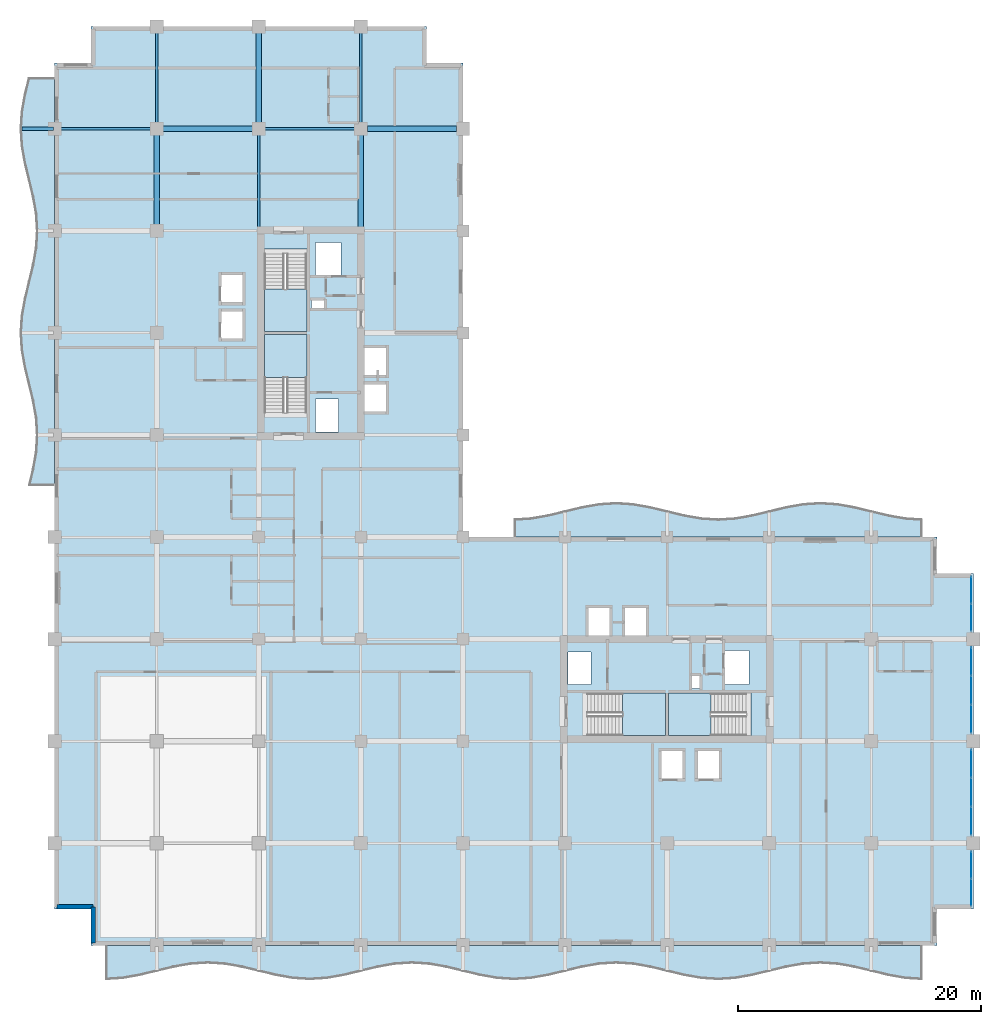
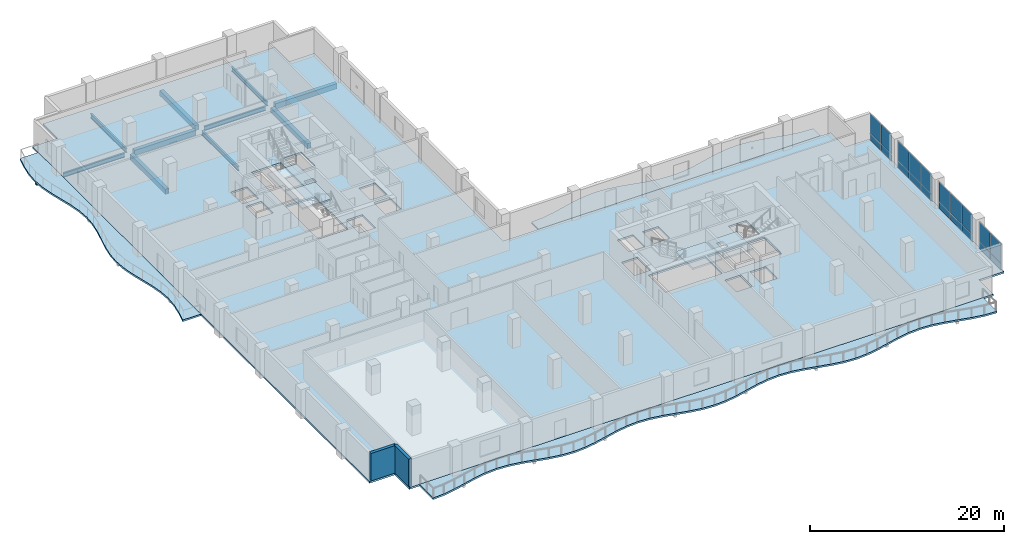
# One storey, part 8 of 20: 20 plates, 11 beams, 8 slabs, 2 walls, 8 elements without a shape of their own.
"""IFC4 building model written with IfcOpenShell, lengths in metres."""

from ifc_helpers import new_model, si_unit, direction, frame, frame_2d, origin, origin_2d, place, context, subcontext, project, spatial, polyline, rectangle, i_section, outline, extrude, material, layer, layer_set, material_profile, profile_set, type_object, element, aggregate, save


model = new_model("IFC4")

# Units and contexts
model_context = context("Model", 3, precision=1e-05, world=origin(), true_north=direction((0.0, 1.0)))
body_context = subcontext(model_context, "Body", "Model", "MODEL_VIEW")
ifc_project = project(units=[si_unit("LENGTHUNIT", "METRE"), si_unit("AREAUNIT", "SQUARE_METRE"), si_unit("VOLUMEUNIT", "CUBIC_METRE"), si_unit("PLANEANGLEUNIT", "RADIAN"), si_unit("MASSUNIT", "GRAM", prefix="KILO")], contexts=[model_context])

# Site, building, storey
site_placement = place(None, origin())
site = spatial("IfcSite", under=ifc_project, at=site_placement, CompositionType="ELEMENT")
building_placement = place(site_placement, origin())
building = spatial("IfcBuilding", under=site, at=building_placement, Name="Koriwani Terraces Tower", CompositionType="ELEMENT")
storey_placement = place(building_placement, frame((0.0, 0.0, 212.39990234375)))
storey = spatial("IfcBuildingStorey", under=building, at=storey_placement, Name="L52", CompositionType="ELEMENT", Elevation=212.39990234375)

# Beams
ifc_material_1 = material(Name="Concrete C40/50", Category="concrete")
ifc_material_profile_1 = material_profile(ifc_material_1, rectangle(XDim=0.300048828125, YDim=0.39990234375, at=origin_2d()), Name="Concrete C40/50", Category="LoadBearing")
ifc_profile_set_1 = profile_set([ifc_material_profile_1], Name="Concrete C40/50")
beam_type_1 = type_object("IfcBeamType", Name="BEAM_RC_BALCONY_RIB_300X400", PredefinedType="JOIST", material=ifc_profile_set_1)
beam_1_placement = place(storey_placement, frame((-2.699951171875, 67.199951171875, -0.429931640625), z_axis=(1.0, 0.0, 0.0), x_axis=(0.0, 1.0, 0.0)))
element("IfcBeam", 1, at=beam_1_placement, inside=storey, type_object=beam_type_1, Name="L52 Balcony Bracket Rib W-4", PredefinedType="JOIST", context=body_context, shape_type="SweptSolid", body=[
    extrude(rectangle(XDim=0.300048828125, YDim=0.39990234375, at=origin_2d()), origin(), (0.0, 0.0, 1.0), 2.599853515625),
])
ifc_material_2 = material(Name="Concrete C50/60", Category="concrete")
ifc_material_profile_2 = material_profile(ifc_material_2, rectangle(XDim=0.449951171875, YDim=0.64990234375, at=origin_2d()), Name="Concrete C50/60", Category="LoadBearing")
ifc_profile_set_2 = profile_set([ifc_material_profile_2], Name="Concrete C50/60")
beam_type_2 = type_object("IfcBeamType", Name="BEAM_RC_GRID_450X650", PredefinedType="BEAM", material=ifc_profile_set_2)
for number, where, z_axis, x_axis, name in (
    (2, (8.929931640625, 67.199951171875, -0.554931640625), (1.0, 0.0, 0.0), (0.0, 1.0, 0.0), "L52 Grid Beam I (8.4-16.8m)"),
    (3, (25.72998046875, 67.199951171875, -0.554931640625), (1.0, 0.0, 0.0), (0.0, 1.0, 0.0), "L52 Grid Beam I (25.2-33.6m)"),
):
    element("IfcBeam", number, at=place(storey_placement, frame(where, z_axis=z_axis, x_axis=x_axis)), inside=storey, type_object=beam_type_2, Name=name, PredefinedType="BEAM", context=body_context, shape_type="SweptSolid", body=[
        extrude(rectangle(XDim=0.449951171875, YDim=0.64990234375, at=origin_2d()), origin(), (0.0, 0.0, 1.0), 7.340087890625),
    ])
beam_2_placement = place(storey_placement, frame((8.39990234375, 59.330078125, -0.554931640625), z_axis=(0.0, 1.0, 0.0), x_axis=(-1.0, 0.0, 0.0)))
element("IfcBeam", 4, at=beam_2_placement, inside=storey, type_object=beam_type_2, Name="L52 Grid Beam 2 (58.8-67.2m)", PredefinedType="BEAM", context=body_context, shape_type="SweptSolid", body=[
    extrude(rectangle(XDim=0.449951171875, YDim=0.64990234375, at=origin_2d()), origin(), (0.0, 0.0, 1.0), 7.33984375),
])
beam_3_placement = place(storey_placement, frame((16.800048828125, 67.72998046875, -0.554931640625), z_axis=(0.0, 1.0, 0.0), x_axis=(-1.0, 0.0, 0.0)))
element("IfcBeam", 5, at=beam_3_placement, inside=storey, type_object=beam_type_2, Name="L52 Grid Beam 3 (67.2-75.6m)", PredefinedType="BEAM", context=body_context, shape_type="SweptSolid", body=[
    extrude(rectangle(XDim=0.449951171875, YDim=0.64990234375, at=origin_2d()), origin(), (0.0, 0.0, 1.0), 7.340087890625),
])
beam_4_placement = place(storey_placement, frame((25.199951171875, 59.1298828125, -0.554931640625), z_axis=(0.0, 1.0, 0.0), x_axis=(-1.0, 0.0, 0.0)))
element("IfcBeam", 6, at=beam_4_placement, inside=storey, type_object=beam_type_2, Name="L52 Grid Beam 4 (58.8-67.2m)", PredefinedType="BEAM", context=body_context, shape_type="SweptSolid", body=[
    extrude(rectangle(XDim=0.449951171875, YDim=0.64990234375, at=origin_2d()), origin(), (0.0, 0.0, 1.0), 7.5400390625),
])
ifc_material_3 = material(Name="Steel ASTM A572 Grade 50", Category="steel")
ifc_material_profile_3 = material_profile(ifc_material_3, i_section(OverallWidth=0.2119140625, OverallDepth=0.54296875, WebThickness=0.0126953125, FlangeThickness=0.021240234375, at=origin_2d()), Name="Steel ASTM A572 Grade 50", Category="LoadBearing")
ifc_profile_set_3 = profile_set([ifc_material_profile_3], Name="Steel ASTM A572 Grade 50")
beam_type_3 = type_object("IfcBeamType", Name="STEEL_BEAM_W530X150", PredefinedType="BEAM", material=ifc_profile_set_3)
beam_5_placement = place(storey_placement, frame((0.530029296875, 67.199951171875, -0.50146484375), z_axis=(1.0, 0.0, 0.0), x_axis=(0.0, 1.0, 0.0)))
element("IfcBeam", 7, at=beam_5_placement, inside=storey, type_object=beam_type_3, Name="L52 Grid Beam I (0.0-8.4m)", PredefinedType="BEAM", context=body_context, shape_type="SweptSolid", body=[
    extrude(i_section(OverallWidth=0.2119140625, OverallDepth=0.54296875, WebThickness=0.0126953125, FlangeThickness=0.021240234375, at=origin_2d()), origin(), (0.0, 0.0, 1.0), 7.340087890625),
])
beam_6_placement = place(storey_placement, frame((17.330078125, 67.199951171875, -0.50146484375), z_axis=(1.0, 0.0, 0.0), x_axis=(0.0, 1.0, 0.0)))
element("IfcBeam", 8, at=beam_6_placement, inside=storey, type_object=beam_type_3, Name="L52 Grid Beam I (16.8-25.2m)", PredefinedType="BEAM", context=body_context, shape_type="SweptSolid", body=[
    extrude(i_section(OverallWidth=0.2119140625, OverallDepth=0.54296875, WebThickness=0.0126953125, FlangeThickness=0.021240234375, at=origin_2d()), origin(), (0.0, 0.0, 1.0), 7.33984375),
])
beam_7_placement = place(storey_placement, frame((8.39990234375, 67.72998046875, -0.50146484375), z_axis=(0.0, 1.0, 0.0), x_axis=(-1.0, 0.0, 0.0)))
element("IfcBeam", 9, at=beam_7_placement, inside=storey, type_object=beam_type_3, Name="L52 Grid Beam 2 (67.2-75.6m)", PredefinedType="BEAM", context=body_context, shape_type="SweptSolid", body=[
    extrude(i_section(OverallWidth=0.2119140625, OverallDepth=0.54296875, WebThickness=0.0126953125, FlangeThickness=0.021240234375, at=origin_2d()), origin(), (0.0, 0.0, 1.0), 7.340087890625),
])
beam_8_placement = place(storey_placement, frame((16.800048828125, 59.1298828125, -0.50146484375), z_axis=(0.0, 1.0, 0.0), x_axis=(-1.0, 0.0, 0.0)))
element("IfcBeam", 10, at=beam_8_placement, inside=storey, type_object=beam_type_3, Name="L52 Grid Beam 3 (58.8-67.2m)", PredefinedType="BEAM", context=body_context, shape_type="SweptSolid", body=[
    extrude(i_section(OverallWidth=0.2119140625, OverallDepth=0.54296875, WebThickness=0.0126953125, FlangeThickness=0.021240234375, at=origin_2d()), origin(), (0.0, 0.0, 1.0), 7.5400390625),
])
beam_9_placement = place(storey_placement, frame((25.199951171875, 67.72998046875, -0.50146484375), z_axis=(0.0, 1.0, 0.0), x_axis=(-1.0, 0.0, 0.0)))
element("IfcBeam", 11, at=beam_9_placement, inside=storey, type_object=beam_type_3, Name="L52 Grid Beam 4 (67.2-75.6m)", PredefinedType="BEAM", context=body_context, shape_type="SweptSolid", body=[
    extrude(i_section(OverallWidth=0.2119140625, OverallDepth=0.54296875, WebThickness=0.0126953125, FlangeThickness=0.021240234375, at=origin_2d()), origin(), (0.0, 0.0, 1.0), 7.340087890625),
])

# Curtain wall, plates
ifc_material_4 = material(Name="Anodised Bronze Aluminium", Category="aluminium")
ifc_layer_1 = layer(ifc_material_4, 0.169921875, Name="Anodised Bronze Aluminium")
ifc_layer_set_1 = layer_set([ifc_layer_1], Name="Anodised Bronze Aluminium")
curtain_wall_type = type_object("IfcCurtainWallType", Name="CW_RES_ZONE3", PredefinedType="NOTDEFINED", material=ifc_layer_set_1)
curtain_wall_1_placement = place(storey_placement, origin())
curtain_wall_1 = element("IfcCurtainWall", 12, at=curtain_wall_1_placement, inside=storey, type_object=curtain_wall_type, Name="L52 Unitised Curtain Wall (E_TIP) Bay 1", PredefinedType="NOTDEFINED")
ifc_material_5 = material(Name="Tempered Laminated Low-E Glass", Category="glass")
ifc_layer_2 = layer(ifc_material_5, 0.028076171875, Name="Tempered Laminated Low-E Glass")
ifc_layer_set_2 = layer_set([ifc_layer_2], Name="Tempered Laminated Low-E Glass")
plate_type = type_object("IfcPlateType", Name="CW_PANEL_VISION_28", PredefinedType="CURTAIN_PANEL", material=ifc_layer_set_2)
plate_1_placement = place(storey_placement, frame((75.425048828125, 29.25244140625, 0.06494140625), z_axis=(0.0, 0.0, 1.0), x_axis=(0.0, -1.0, 0.0)))
plate_1 = element("IfcPlate", 13, at=plate_1_placement, type_object=plate_type, Name="CW-Z3 panel 1.1", PredefinedType="CURTAIN_PANEL", context=body_context, shape_type="SweptSolid", body=[
    extrude(rectangle(XDim=2.195068359375, YDim=0.028076171875, at=origin_2d()), origin(), (0.0, 0.0, 1.0), 0.802490234375),
])
plate_2_placement = place(storey_placement, frame((75.425048828125, 29.25244140625, 0.9326171875), z_axis=(0.0, 0.0, 1.0), x_axis=(0.0, -1.0, 0.0)))
plate_2 = element("IfcPlate", 14, at=plate_2_placement, type_object=plate_type, Name="CW-Z3 panel 1.2", PredefinedType="CURTAIN_PANEL", context=body_context, shape_type="SweptSolid", body=[
    extrude(rectangle(XDim=2.195068359375, YDim=0.028076171875, at=origin_2d()), origin(), (0.0, 0.0, 1.0), 2.472412109375),
])
plate_3_placement = place(storey_placement, frame((75.425048828125, 26.982421875, 0.06494140625), z_axis=(0.0, 0.0, 1.0), x_axis=(0.0, -1.0, 0.0)))
plate_3 = element("IfcPlate", 15, at=plate_3_placement, type_object=plate_type, Name="CW-Z3 panel 2.1", PredefinedType="CURTAIN_PANEL", context=body_context, shape_type="SweptSolid", body=[
    extrude(rectangle(XDim=2.195068359375, YDim=0.028076171875, at=origin_2d()), origin(), (0.0, 0.0, 1.0), 0.802490234375),
])
plate_4_placement = place(storey_placement, frame((75.425048828125, 26.982421875, 0.9326171875), z_axis=(0.0, 0.0, 1.0), x_axis=(0.0, -1.0, 0.0)))
plate_4 = element("IfcPlate", 16, at=plate_4_placement, type_object=plate_type, Name="CW-Z3 panel 2.2", PredefinedType="CURTAIN_PANEL", context=body_context, shape_type="SweptSolid", body=[
    extrude(rectangle(XDim=2.195068359375, YDim=0.028076171875, at=origin_2d()), origin(), (0.0, 0.0, 1.0), 2.472412109375),
])
aggregate(curtain_wall_1, [plate_1, plate_2, plate_3, plate_4])

curtain_wall_2_placement = place(storey_placement, origin())
curtain_wall_2 = element("IfcCurtainWall", 17, at=curtain_wall_2_placement, inside=storey, type_object=curtain_wall_type, Name="L52 Unitised Curtain Wall (E_TIP) Bay 2", PredefinedType="NOTDEFINED")
plate_5_placement = place(storey_placement, frame((75.425048828125, 23.37451171875, 0.06494140625), z_axis=(0.0, 0.0, 1.0), x_axis=(0.0, -1.0, 0.0)))
plate_5 = element("IfcPlate", 18, at=plate_5_placement, type_object=plate_type, Name="CW-Z3 panel 1.1", PredefinedType="CURTAIN_PANEL", context=body_context, shape_type="SweptSolid", body=[
    extrude(rectangle(XDim=2.28076171875, YDim=0.028076171875, at=origin_2d()), origin(), (0.0, 0.0, 1.0), 0.802490234375),
])
plate_6_placement = place(storey_placement, frame((75.425048828125, 23.37451171875, 0.9326171875), z_axis=(0.0, 0.0, 1.0), x_axis=(0.0, -1.0, 0.0)))
plate_6 = element("IfcPlate", 19, at=plate_6_placement, type_object=plate_type, Name="CW-Z3 panel 1.2", PredefinedType="CURTAIN_PANEL", context=body_context, shape_type="SweptSolid", body=[
    extrude(rectangle(XDim=2.28076171875, YDim=0.028076171875, at=origin_2d()), origin(), (0.0, 0.0, 1.0), 2.472412109375),
])
plate_7_placement = place(storey_placement, frame((75.425048828125, 21.0, 0.06494140625), z_axis=(0.0, 0.0, 1.0), x_axis=(0.0, -1.0, 0.0)))
plate_7 = element("IfcPlate", 20, at=plate_7_placement, type_object=plate_type, Name="CW-Z3 panel 2.1", PredefinedType="CURTAIN_PANEL", context=body_context, shape_type="SweptSolid", body=[
    extrude(rectangle(XDim=2.318359375, YDim=0.028076171875, at=origin_2d()), origin(), (0.0, 0.0, 1.0), 0.802490234375),
])
plate_8_placement = place(storey_placement, frame((75.425048828125, 21.0, 0.9326171875), z_axis=(0.0, 0.0, 1.0), x_axis=(0.0, -1.0, 0.0)))
plate_8 = element("IfcPlate", 21, at=plate_8_placement, type_object=plate_type, Name="CW-Z3 panel 2.2", PredefinedType="CURTAIN_PANEL", context=body_context, shape_type="SweptSolid", body=[
    extrude(rectangle(XDim=2.318359375, YDim=0.028076171875, at=origin_2d()), origin(), (0.0, 0.0, 1.0), 2.472412109375),
])
plate_9_placement = place(storey_placement, frame((75.425048828125, 18.62548828125, 0.06494140625), z_axis=(0.0, 0.0, 1.0), x_axis=(0.0, -1.0, 0.0)))
plate_9 = element("IfcPlate", 22, at=plate_9_placement, type_object=plate_type, Name="CW-Z3 panel 3.1", PredefinedType="CURTAIN_PANEL", context=body_context, shape_type="SweptSolid", body=[
    extrude(rectangle(XDim=2.28076171875, YDim=0.028076171875, at=origin_2d()), origin(), (0.0, 0.0, 1.0), 0.802490234375),
])
plate_10_placement = place(storey_placement, frame((75.425048828125, 18.62548828125, 0.9326171875), z_axis=(0.0, 0.0, 1.0), x_axis=(0.0, -1.0, 0.0)))
plate_10 = element("IfcPlate", 23, at=plate_10_placement, type_object=plate_type, Name="CW-Z3 panel 3.2", PredefinedType="CURTAIN_PANEL", context=body_context, shape_type="SweptSolid", body=[
    extrude(rectangle(XDim=2.28076171875, YDim=0.028076171875, at=origin_2d()), origin(), (0.0, 0.0, 1.0), 2.472412109375),
])
aggregate(curtain_wall_2, [plate_5, plate_6, plate_7, plate_8, plate_9, plate_10])

curtain_wall_3_placement = place(storey_placement, origin())
curtain_wall_3 = element("IfcCurtainWall", 24, at=curtain_wall_3_placement, inside=storey, type_object=curtain_wall_type, Name="L52 Unitised Curtain Wall (E_TIP) Bay 3", PredefinedType="NOTDEFINED")
plate_11_placement = place(storey_placement, frame((75.425048828125, 14.974609375, 0.06494140625), z_axis=(0.0, 0.0, 1.0), x_axis=(0.0, -1.0, 0.0)))
plate_11 = element("IfcPlate", 25, at=plate_11_placement, type_object=plate_type, Name="CW-Z3 panel 1.1", PredefinedType="CURTAIN_PANEL", context=body_context, shape_type="SweptSolid", body=[
    extrude(rectangle(XDim=2.28076171875, YDim=0.028076171875, at=origin_2d()), origin(), (0.0, 0.0, 1.0), 0.802490234375),
])
plate_12_placement = place(storey_placement, frame((75.425048828125, 14.974609375, 0.9326171875), z_axis=(0.0, 0.0, 1.0), x_axis=(0.0, -1.0, 0.0)))
plate_12 = element("IfcPlate", 26, at=plate_12_placement, type_object=plate_type, Name="CW-Z3 panel 1.2", PredefinedType="CURTAIN_PANEL", context=body_context, shape_type="SweptSolid", body=[
    extrude(rectangle(XDim=2.28076171875, YDim=0.028076171875, at=origin_2d()), origin(), (0.0, 0.0, 1.0), 2.472412109375),
])
plate_13_placement = place(storey_placement, frame((75.425048828125, 12.60009765625, 0.06494140625), z_axis=(0.0, 0.0, 1.0), x_axis=(0.0, -1.0, 0.0)))
plate_13 = element("IfcPlate", 27, at=plate_13_placement, type_object=plate_type, Name="CW-Z3 panel 2.1", PredefinedType="CURTAIN_PANEL", context=body_context, shape_type="SweptSolid", body=[
    extrude(rectangle(XDim=2.318359375, YDim=0.028076171875, at=origin_2d()), origin(), (0.0, 0.0, 1.0), 0.802490234375),
])
plate_14_placement = place(storey_placement, frame((75.425048828125, 12.60009765625, 0.9326171875), z_axis=(0.0, 0.0, 1.0), x_axis=(0.0, -1.0, 0.0)))
plate_14 = element("IfcPlate", 28, at=plate_14_placement, type_object=plate_type, Name="CW-Z3 panel 2.2", PredefinedType="CURTAIN_PANEL", context=body_context, shape_type="SweptSolid", body=[
    extrude(rectangle(XDim=2.318359375, YDim=0.028076171875, at=origin_2d()), origin(), (0.0, 0.0, 1.0), 2.472412109375),
])
plate_15_placement = place(storey_placement, frame((75.425048828125, 10.225341796875, 0.06494140625), z_axis=(0.0, 0.0, 1.0), x_axis=(0.0, -1.0, 0.0)))
plate_15 = element("IfcPlate", 29, at=plate_15_placement, type_object=plate_type, Name="CW-Z3 panel 3.1", PredefinedType="CURTAIN_PANEL", context=body_context, shape_type="SweptSolid", body=[
    extrude(rectangle(XDim=2.28076171875, YDim=0.028076171875, at=origin_2d()), origin(), (0.0, 0.0, 1.0), 0.802490234375),
])
plate_16_placement = place(storey_placement, frame((75.425048828125, 10.225341796875, 0.9326171875), z_axis=(0.0, 0.0, 1.0), x_axis=(0.0, -1.0, 0.0)))
plate_16 = element("IfcPlate", 30, at=plate_16_placement, type_object=plate_type, Name="CW-Z3 panel 3.2", PredefinedType="CURTAIN_PANEL", context=body_context, shape_type="SweptSolid", body=[
    extrude(rectangle(XDim=2.28076171875, YDim=0.028076171875, at=origin_2d()), origin(), (0.0, 0.0, 1.0), 2.472412109375),
])
aggregate(curtain_wall_3, [plate_11, plate_12, plate_13, plate_14, plate_15, plate_16])

curtain_wall_4_placement = place(storey_placement, origin())
curtain_wall_4 = element("IfcCurtainWall", 31, at=curtain_wall_4_placement, inside=storey, type_object=curtain_wall_type, Name="L52 Unitised Curtain Wall (E_TIP) Bay 4", PredefinedType="NOTDEFINED")
plate_17_placement = place(storey_placement, frame((75.425048828125, 6.617431640625, 0.06494140625), z_axis=(0.0, 0.0, 1.0), x_axis=(0.0, -1.0, 0.0)))
plate_17 = element("IfcPlate", 32, at=plate_17_placement, type_object=plate_type, Name="CW-Z3 panel 1.1", PredefinedType="CURTAIN_PANEL", context=body_context, shape_type="SweptSolid", body=[
    extrude(rectangle(XDim=2.195068359375, YDim=0.028076171875, at=origin_2d()), origin(), (0.0, 0.0, 1.0), 0.802490234375),
])
plate_18_placement = place(storey_placement, frame((75.425048828125, 6.617431640625, 0.9326171875), z_axis=(0.0, 0.0, 1.0), x_axis=(0.0, -1.0, 0.0)))
plate_18 = element("IfcPlate", 33, at=plate_18_placement, type_object=plate_type, Name="CW-Z3 panel 1.2", PredefinedType="CURTAIN_PANEL", context=body_context, shape_type="SweptSolid", body=[
    extrude(rectangle(XDim=2.195068359375, YDim=0.028076171875, at=origin_2d()), origin(), (0.0, 0.0, 1.0), 2.472412109375),
])
plate_19_placement = place(storey_placement, frame((75.425048828125, 4.347412109375, 0.06494140625), z_axis=(0.0, 0.0, 1.0), x_axis=(0.0, -1.0, 0.0)))
plate_19 = element("IfcPlate", 34, at=plate_19_placement, type_object=plate_type, Name="CW-Z3 panel 2.1", PredefinedType="CURTAIN_PANEL", context=body_context, shape_type="SweptSolid", body=[
    extrude(rectangle(XDim=2.195068359375, YDim=0.028076171875, at=origin_2d()), origin(), (0.0, 0.0, 1.0), 0.802490234375),
])
plate_20_placement = place(storey_placement, frame((75.425048828125, 4.347412109375, 0.9326171875), z_axis=(0.0, 0.0, 1.0), x_axis=(0.0, -1.0, 0.0)))
plate_20 = element("IfcPlate", 35, at=plate_20_placement, type_object=plate_type, Name="CW-Z3 panel 2.2", PredefinedType="CURTAIN_PANEL", context=body_context, shape_type="SweptSolid", body=[
    extrude(rectangle(XDim=2.195068359375, YDim=0.028076171875, at=origin_2d()), origin(), (0.0, 0.0, 1.0), 2.472412109375),
])
aggregate(curtain_wall_4, [plate_17, plate_18, plate_19, plate_20])

# Slabs
ifc_layer_3 = layer(ifc_material_1, 0.219970703125, Name="Concrete C40/50")
ifc_layer_set_3 = layer_set([ifc_layer_3], Name="Concrete C40/50")
slab_type_1 = type_object("IfcSlabType", Name="SLAB_BALCONY_220", PredefinedType="FLOOR", material=ifc_layer_set_3)
slab_1_placement = place(storey_placement, frame((0.0, 0.0, -0.219970703125)))
element("IfcSlab", 36, at=slab_1_placement, inside=storey, type_object=slab_type_1, Name="L52 Quilted Circular-Arc Balcony (S)", PredefinedType="FLOOR", context=body_context, shape_type="SweptSolid", body=[
    extrude(outline(polyline([(4.199951171875, 0.0), (5.60009765625, 0.0), (7.0, 0.0), (8.39990234375, 0.0), (9.800048828125, 0.0), (11.199951171875, 0.0), (12.60009765625, 0.0), (14.0, 0.0), (15.39990234375, 0.0), (16.800048828125, 0.0), (18.199951171875, 0.0), (19.60009765625, 0.0), (21.0, 0.0), (22.39990234375, 0.0), (23.800048828125, 0.0), (25.199951171875, 0.0), (26.60009765625, 0.0), (28.0, 0.0), (29.39990234375, 0.0), (30.800048828125, 0.0), (32.199951171875, 0.0), (33.60009765625, 0.0), (35.0, 0.0), (36.39990234375, 0.0), (37.800048828125, 0.0), (39.199951171875, 0.0), (40.60009765625, 0.0), (42.0, 0.0), (43.39990234375, 0.0), (44.800048828125, 0.0), (46.199951171875, 0.0), (47.60009765625, 0.0), (49.0, 0.0), (50.39990234375, 0.0), (51.800048828125, 0.0), (53.199951171875, 0.0), (54.60009765625, 0.0), (56.0, 0.0), (57.39990234375, 0.0), (58.800048828125, 0.0), (60.199951171875, 0.0), (61.60009765625, 0.0), (63.0, 0.0), (64.39990234375, 0.0), (65.800048828125, 0.0), (67.199951171875, 0.0), (68.60009765625, 0.0), (70.0, 0.0), (71.39990234375, 0.0), (71.39990234375, -2.85009765625), (70.0, -2.759521484375), (68.60009765625, -2.512451171875), (67.199951171875, -2.175048828125), (65.800048828125, -1.83740234375), (64.39990234375, -1.59033203125), (63.0, -1.5), (61.60009765625, -1.59033203125), (60.199951171875, -1.83740234375), (58.800048828125, -2.175048828125), (57.39990234375, -2.512451171875), (56.0, -2.759521484375), (54.60009765625, -2.85009765625), (53.199951171875, -2.759521484375), (51.800048828125, -2.512451171875), (50.39990234375, -2.175048828125), (49.0, -1.83740234375), (47.60009765625, -1.59033203125), (46.199951171875, -1.5), (44.800048828125, -1.59033203125), (43.39990234375, -1.83740234375), (42.0, -2.175048828125), (40.60009765625, -2.512451171875), (39.199951171875, -2.759521484375), (37.800048828125, -2.85009765625), (36.39990234375, -2.759521484375), (35.0, -2.512451171875), (33.60009765625, -2.175048828125), (32.199951171875, -1.83740234375), (30.800048828125, -1.59033203125), (29.39990234375, -1.5), (28.0, -1.59033203125), (26.60009765625, -1.83740234375), (25.199951171875, -2.175048828125), (23.800048828125, -2.512451171875), (22.39990234375, -2.759521484375), (21.0, -2.85009765625), (19.60009765625, -2.759521484375), (18.199951171875, -2.512451171875), (16.800048828125, -2.175048828125), (15.39990234375, -1.83740234375), (14.0, -1.59033203125), (12.60009765625, -1.5), (11.199951171875, -1.59033203125), (9.800048828125, -1.83740234375), (8.39990234375, -2.175048828125), (7.0, -2.512451171875), (5.60009765625, -2.759521484375), (4.199951171875, -2.85009765625), (4.199951171875, 0.0)])), origin(), (0.0, 0.0, 1.0), 0.219970703125),
])
slab_2_placement = place(storey_placement, frame((0.0, 0.0, -0.219970703125)))
element("IfcSlab", 37, at=slab_2_placement, inside=storey, type_object=slab_type_1, Name="L52 Quilted Circular-Arc Balcony (W)", PredefinedType="FLOOR", context=body_context, shape_type="SweptSolid", body=[
    extrude(outline(polyline([(0.0, 37.800048828125), (0.0, 39.199951171875), (0.0, 40.60009765625), (0.0, 42.0), (0.0, 43.39990234375), (0.0, 44.800048828125), (0.0, 46.199951171875), (0.0, 47.60009765625), (0.0, 49.0), (0.0, 50.39990234375), (0.0, 51.800048828125), (0.0, 53.199951171875), (0.0, 54.60009765625), (0.0, 56.0), (0.0, 57.39990234375), (0.0, 58.800048828125), (0.0, 60.199951171875), (0.0, 61.60009765625), (0.0, 63.0), (0.0, 64.39990234375), (0.0, 65.800048828125), (0.0, 67.199951171875), (0.0, 68.60009765625), (0.0, 70.0), (0.0, 71.39990234375), (-2.175048828125, 71.39990234375), (-2.512451171875, 70.0), (-2.759521484375, 68.60009765625), (-2.85009765625, 67.199951171875), (-2.759521484375, 65.800048828125), (-2.512451171875, 64.39990234375), (-2.175048828125, 63.0), (-1.83740234375, 61.60009765625), (-1.59033203125, 60.199951171875), (-1.5, 58.800048828125), (-1.59033203125, 57.39990234375), (-1.83740234375, 56.0), (-2.175048828125, 54.60009765625), (-2.512451171875, 53.199951171875), (-2.759521484375, 51.800048828125), (-2.85009765625, 50.39990234375), (-2.759521484375, 49.0), (-2.512451171875, 47.60009765625), (-2.175048828125, 46.199951171875), (-1.83740234375, 44.800048828125), (-1.59033203125, 43.39990234375), (-1.5, 42.0), (-1.59033203125, 40.60009765625), (-1.83740234375, 39.199951171875), (-2.175048828125, 37.800048828125), (0.0, 37.800048828125)])), origin(), (0.0, 0.0, 1.0), 0.219970703125),
])
slab_3_placement = place(storey_placement, frame((0.0, 0.0, -0.219970703125)))
element("IfcSlab", 38, at=slab_3_placement, inside=storey, type_object=slab_type_1, Name="L52 Quilted Circular-Arc Balcony (NE)", PredefinedType="FLOOR", context=body_context, shape_type="SweptSolid", body=[
    extrude(outline(polyline([(71.39990234375, 33.60009765625), (70.0, 33.60009765625), (68.60009765625, 33.60009765625), (67.199951171875, 33.60009765625), (65.800048828125, 33.60009765625), (64.39990234375, 33.60009765625), (63.0, 33.60009765625), (61.60009765625, 33.60009765625), (60.199951171875, 33.60009765625), (58.800048828125, 33.60009765625), (57.39990234375, 33.60009765625), (56.0, 33.60009765625), (54.60009765625, 33.60009765625), (53.199951171875, 33.60009765625), (51.800048828125, 33.60009765625), (50.39990234375, 33.60009765625), (49.0, 33.60009765625), (47.60009765625, 33.60009765625), (46.199951171875, 33.60009765625), (44.800048828125, 33.60009765625), (43.39990234375, 33.60009765625), (42.0, 33.60009765625), (40.60009765625, 33.60009765625), (39.199951171875, 33.60009765625), (37.800048828125, 33.60009765625), (37.800048828125, 35.10009765625), (39.199951171875, 35.1904296875), (40.60009765625, 35.4375), (42.0, 35.77490234375), (43.39990234375, 36.112548828125), (44.800048828125, 36.359619140625), (46.199951171875, 36.449951171875), (47.60009765625, 36.359619140625), (49.0, 36.112548828125), (50.39990234375, 35.77490234375), (51.800048828125, 35.4375), (53.199951171875, 35.1904296875), (54.60009765625, 35.10009765625), (56.0, 35.1904296875), (57.39990234375, 35.4375), (58.800048828125, 35.77490234375), (60.199951171875, 36.112548828125), (61.60009765625, 36.359619140625), (63.0, 36.449951171875), (64.39990234375, 36.359619140625), (65.800048828125, 36.112548828125), (67.199951171875, 35.77490234375), (68.60009765625, 35.4375), (70.0, 35.1904296875), (71.39990234375, 35.10009765625), (71.39990234375, 33.60009765625)])), origin(), (0.0, 0.0, 1.0), 0.219970703125),
])
ifc_layer_4 = layer(ifc_material_1, 0.22998046875, Name="Concrete C40/50")
ifc_layer_set_4 = layer_set([ifc_layer_4], Name="Concrete C40/50")
slab_type_2 = type_object("IfcSlabType", Name="SLAB_RES_TYP_230", PredefinedType="FLOOR", material=ifc_layer_set_4)
slab_4_placement = place(storey_placement, frame((0.0, 0.0, -0.22998046875)))
element("IfcSlab", 39, at=slab_4_placement, inside=storey, type_object=slab_type_2, Name="L52 Structural Floor Slab", PredefinedType="FLOOR", context=body_context, shape_type="SweptSolid", body=[
    extrude(outline(polyline([(3.0, 0.0), (72.60009765625, 0.0), (72.60009765625, 3.0), (75.60009765625, 3.0), (75.60009765625, 30.60009765625), (72.60009765625, 30.60009765625), (72.60009765625, 33.60009765625), (33.60009765625, 33.60009765625), (33.60009765625, 72.60009765625), (30.60009765625, 72.60009765625), (30.60009765625, 75.60009765625), (3.0, 75.60009765625), (3.0, 72.60009765625), (0.0, 72.60009765625), (0.0, 3.0), (3.0, 3.0), (3.0, 0.0)]), holes=[polyline([(17.25, 43.4599609375), (20.75, 43.4599609375), (20.75, 50.25), (17.25, 50.25), (17.25, 43.4599609375)]), polyline([(17.25, 50.5), (20.75, 50.5), (20.75, 57.2900390625), (17.25, 57.2900390625), (17.25, 50.5)]), polyline([(43.4599609375, 17.25), (50.25, 17.25), (50.25, 20.75), (43.4599609375, 20.75), (43.4599609375, 17.25)]), polyline([(50.5, 17.25), (57.2900390625, 17.25), (57.2900390625, 20.75), (50.5, 20.75), (50.5, 17.25)]), polyline([(13.64990234375, 49.85009765625), (15.550048828125, 49.85009765625), (15.550048828125, 52.25), (13.64990234375, 52.25), (13.64990234375, 49.85009765625)]), polyline([(13.64990234375, 52.85009765625), (15.550048828125, 52.85009765625), (15.550048828125, 55.25), (13.64990234375, 55.25), (13.64990234375, 52.85009765625)]), polyline([(49.85009765625, 13.64990234375), (51.75, 13.64990234375), (51.75, 16.050048828125), (49.85009765625, 16.050048828125), (49.85009765625, 13.64990234375)]), polyline([(52.85009765625, 13.64990234375), (54.75, 13.64990234375), (54.75, 16.050048828125), (52.85009765625, 16.050048828125), (52.85009765625, 13.64990234375)]), polyline([(25.449951171875, 43.85009765625), (27.35009765625, 43.85009765625), (27.35009765625, 46.25), (25.449951171875, 46.25), (25.449951171875, 43.85009765625)]), polyline([(25.449951171875, 46.85009765625), (27.35009765625, 46.85009765625), (27.35009765625, 49.25), (25.449951171875, 49.25), (25.449951171875, 46.85009765625)]), polyline([(43.85009765625, 25.449951171875), (45.75, 25.449951171875), (45.75, 27.85009765625), (43.85009765625, 27.85009765625), (43.85009765625, 25.449951171875)]), polyline([(46.85009765625, 25.449951171875), (48.75, 25.449951171875), (48.75, 27.85009765625), (46.85009765625, 27.85009765625), (46.85009765625, 25.449951171875)]), polyline([(21.449951171875, 55.050048828125), (23.550048828125, 55.050048828125), (23.550048828125, 57.85009765625), (21.449951171875, 57.85009765625), (21.449951171875, 55.050048828125)]), polyline([(55.050048828125, 21.449951171875), (57.14990234375, 21.449951171875), (57.14990234375, 24.25), (55.050048828125, 24.25), (55.050048828125, 21.449951171875)]), polyline([(21.449951171875, 42.25), (23.35009765625, 42.25), (23.35009765625, 44.949951171875), (21.449951171875, 44.949951171875), (21.449951171875, 42.25)]), polyline([(42.25, 21.449951171875), (44.14990234375, 21.449951171875), (44.14990234375, 24.14990234375), (42.25, 24.14990234375), (42.25, 21.449951171875)]), polyline([(21.14990234375, 52.419921875), (22.219970703125, 52.419921875), (22.219970703125, 53.179931640625), (21.14990234375, 53.179931640625), (21.14990234375, 52.419921875)]), polyline([(52.419921875, 21.14990234375), (53.179931640625, 21.14990234375), (53.179931640625, 22.219970703125), (52.419921875, 22.219970703125), (52.419921875, 21.14990234375)])]), origin(), (0.0, 0.0, 1.0), 0.22998046875),
])

# Stair, slab
stair_type = type_object("IfcStairType", Name="STAIR_CORE_DOGLEG_1650", PredefinedType="TWO_STRAIGHT_RUN_STAIR", material=ifc_material_1)
stair_1_placement = place(storey_placement, origin())
stair_1 = element("IfcStair", 40, at=stair_1_placement, inside=storey, type_object=stair_type, Name="L52 West Core Exit Stair 1", PredefinedType="HALF_TURN_STAIR")
ifc_layer_5 = layer(ifc_material_1, 0.199951171875, Name="Concrete C40/50")
ifc_layer_set_5 = layer_set([ifc_layer_5], Name="Concrete C40/50")
slab_type_3 = type_object("IfcSlabType", Name="SLAB_STAIR_LANDING_200", PredefinedType="LANDING", material=ifc_layer_set_5)
slab_5_placement = place(storey_placement, frame((0.0, 0.0, 1.650146484375)))
slab_5 = element("IfcSlab", 41, at=slab_5_placement, type_object=slab_type_3, Name="ST-W1 landing 1", PredefinedType="LANDING", context=body_context, shape_type="SweptSolid", body=[
    extrude(outline(polyline([(20.75, 46.75), (20.75, 50.25), (17.25, 50.25), (17.25, 46.75), (20.75, 46.75)])), origin(), (0.0, 0.0, 1.0), 0.199951171875),
])
aggregate(stair_1, [slab_5])

stair_2_placement = place(storey_placement, origin())
stair_2 = element("IfcStair", 42, at=stair_2_placement, inside=storey, type_object=stair_type, Name="L52 West Core Exit Stair 2", PredefinedType="HALF_TURN_STAIR")
slab_6_placement = place(storey_placement, frame((0.0, 0.0, 1.650146484375)))
slab_6 = element("IfcSlab", 43, at=slab_6_placement, type_object=slab_type_3, Name="ST-W2 landing 1", PredefinedType="LANDING", context=body_context, shape_type="SweptSolid", body=[
    extrude(outline(polyline([(17.25, 54.0), (17.25, 50.5), (20.75, 50.5), (20.75, 54.0), (17.25, 54.0)])), origin(), (0.0, 0.0, 1.0), 0.199951171875),
])
aggregate(stair_2, [slab_6])

stair_3_placement = place(storey_placement, origin())
stair_3 = element("IfcStair", 44, at=stair_3_placement, inside=storey, type_object=stair_type, Name="L52 East Core Exit Stair 1", PredefinedType="HALF_TURN_STAIR")
slab_7_placement = place(storey_placement, frame((0.0, 0.0, 1.650146484375)))
slab_7 = element("IfcSlab", 45, at=slab_7_placement, type_object=slab_type_3, Name="ST-E1 landing 1", PredefinedType="LANDING", context=body_context, shape_type="SweptSolid", body=[
    extrude(outline(polyline([(46.75, 17.25), (50.25, 17.25), (50.25, 20.75), (46.75, 20.75), (46.75, 17.25)])), origin(), (0.0, 0.0, 1.0), 0.199951171875),
])
aggregate(stair_3, [slab_7])

stair_4_placement = place(storey_placement, origin())
stair_4 = element("IfcStair", 46, at=stair_4_placement, inside=storey, type_object=stair_type, Name="L52 East Core Exit Stair 2", PredefinedType="HALF_TURN_STAIR")
slab_8_placement = place(storey_placement, frame((0.0, 0.0, 1.650146484375)))
slab_8 = element("IfcSlab", 47, at=slab_8_placement, type_object=slab_type_3, Name="ST-E2 landing 1", PredefinedType="LANDING", context=body_context, shape_type="SweptSolid", body=[
    extrude(outline(polyline([(54.0, 20.75), (50.5, 20.75), (50.5, 17.25), (54.0, 17.25), (54.0, 20.75)])), origin(), (0.0, 0.0, 1.0), 0.199951171875),
])
aggregate(stair_4, [slab_8])

# Walls
ifc_layer_6 = layer(ifc_material_2, 0.35009765625, Name="Concrete C50/60")
ifc_layer_set_6 = layer_set([ifc_layer_6], Name="Concrete C50/60")
wall_type = type_object("IfcWallType", Name="WALL_EXT_BRUTALIST_350", PredefinedType="STANDARD", material=ifc_layer_set_6)
for number, where, z_axis, x_axis, name in (
    (48, (3.175048828125, 0.175048828125, 0.0), (0.0, 0.0, 1.0), (0.0, 1.0, 0.0), "L52 Fair-Faced Brutalist Exterior Wall (N0)"),
    (49, (3.175048828125, 3.175048828125, 0.0), (0.0, 0.0, 1.0), (-1.0, 0.0, 0.0), "L52 Fair-Faced Brutalist Exterior Wall (N1)"),
):
    element("IfcWall", number, at=place(storey_placement, frame(where, z_axis=z_axis, x_axis=x_axis)), inside=storey, type_object=wall_type, Name=name, PredefinedType="STANDARD", context=body_context, shape_type="SweptSolid", body=[
        extrude(rectangle(XDim=3.0, YDim=0.35009765625, at=frame_2d((1.5, 0.0))), origin(), (0.0, 0.0, 1.0), 3.47021484375),
    ])

save(model, "model.ifc")
